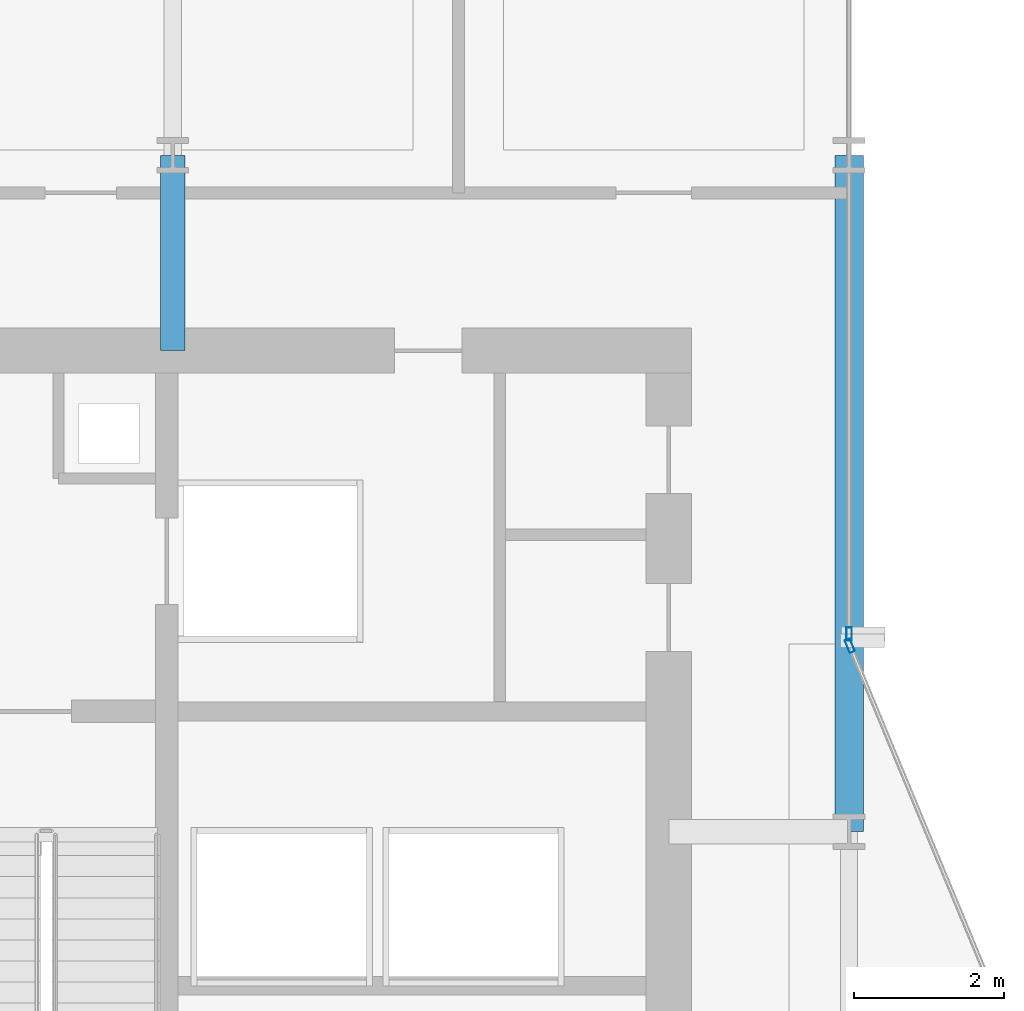
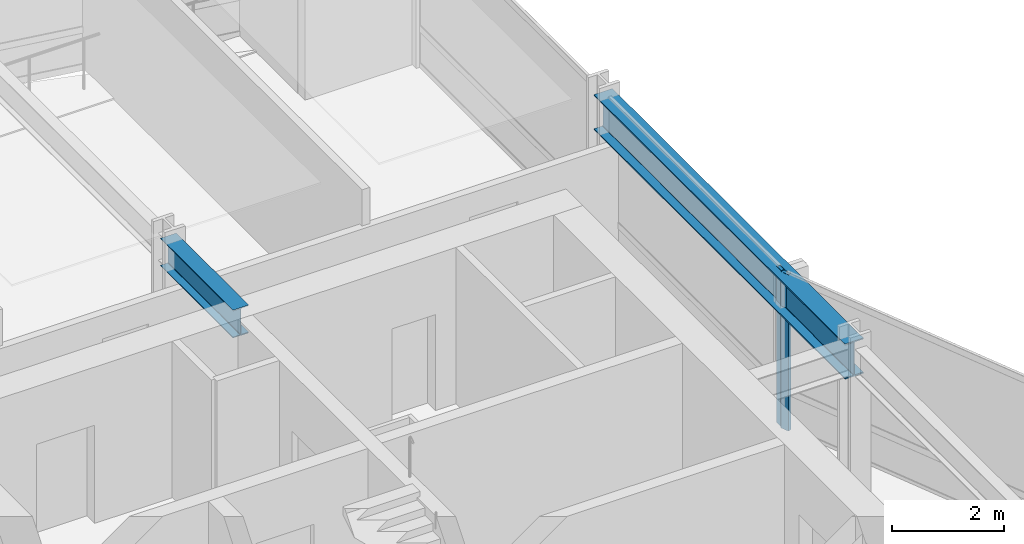
# One storey, part 21 of 34: 2 beams, 2 members, 2 elements without a shape of their own.
"""IFC4 building model written with IfcOpenShell, lengths in metres."""

from ifc_helpers import new_model, si_unit, direction, frame, origin, origin_2d, place, context, subcontext, project, spatial, hollow_rectangle, i_section, extrude, material, layer, layer_set, material_profile, profile_set, type_object, element, aggregate, save


model = new_model("IFC4")

# Units and contexts
model_context = context("Model", 3, precision=1e-05, world=origin(), true_north=direction((0.0, 1.0)))
body_context = subcontext(model_context, "Body", "Model", "MODEL_VIEW")
ifc_project = project(units=[si_unit("LENGTHUNIT", "METRE"), si_unit("AREAUNIT", "SQUARE_METRE"), si_unit("VOLUMEUNIT", "CUBIC_METRE"), si_unit("PLANEANGLEUNIT", "RADIAN"), si_unit("MASSUNIT", "GRAM", prefix="KILO")], contexts=[model_context])

# Site, building, storey
site_placement = place(None, origin())
site = spatial("IfcSite", under=ifc_project, at=site_placement, CompositionType="ELEMENT")
building_placement = place(site_placement, origin())
building = spatial("IfcBuilding", under=site, at=building_placement, Name="Solvaryn Broadcast Tower", CompositionType="ELEMENT")
storey_placement = place(building_placement, frame((0.0, 0.0, 76.699951171875)))
storey = spatial("IfcBuildingStorey", under=building, at=storey_placement, Name="L18", CompositionType="ELEMENT", Elevation=76.699951171875)

# Beams
ifc_material_1 = material(Name="Steel ASTM A992 Grade 50", Category="steel")
ifc_material_profile_1 = material_profile(ifc_material_1, i_section(OverallWidth=0.323974609375, OverallDepth=0.611083984375, WebThickness=0.0126953125, FlangeThickness=0.01904296875, FilletRadius=0.014892578125, at=origin_2d()))
ifc_profile_set_1 = profile_set([ifc_material_profile_1], Name="Steel ASTM A992 Grade 50")
beam_type_1 = type_object("IfcBeamType", Name="BM-B1-W24X104", PredefinedType="BEAM", material=ifc_profile_set_1)
beam_1_placement = place(storey_placement, frame((18.0, 42.39990234375, 3.114501953125), z_axis=(0.0, 1.0, 0.0), x_axis=(-1.0, 0.0, 0.0)))
element("IfcBeam", 1, at=beam_1_placement, inside=storey, type_object=beam_type_1, Name="L18 Core Tie Beam CTW3", PredefinedType="BEAM", context=body_context, shape_type="SweptSolid", body=[
    extrude(i_section(OverallWidth=0.323974609375, OverallDepth=0.611083984375, WebThickness=0.0126953125, FlangeThickness=0.01904296875, FilletRadius=0.014892578125, at=origin_2d()), origin(), (0.0, 0.0, 1.0), 2.60009765625),
])
ifc_material_2 = material(Name="Steel ASTM A992 Grade 50", Category="steel")
ifc_material_profile_2 = material_profile(ifc_material_2, i_section(OverallWidth=0.381103515625, OverallDepth=0.77294921875, WebThickness=0.0166015625, FlangeThickness=0.027099609375, FilletRadius=0.01806640625, at=origin_2d()))
ifc_profile_set_2 = profile_set([ifc_material_profile_2], Name="Steel ASTM A992 Grade 50")
beam_type_2 = type_object("IfcBeamType", Name="BM-SP1-W30X173", PredefinedType="USERDEFINED", material=ifc_profile_set_2)
beam_2_placement = place(storey_placement, frame((27.0, 36.0, 3.033447265625), z_axis=(0.0, 1.0, 0.0), x_axis=(-1.0, 0.0, 0.0)))
element("IfcBeam", 2, at=beam_2_placement, inside=storey, type_object=beam_type_2, Name="L18 Spandrel Beam Y (36-45 @ X=27)", ObjectType="SPANDREL", PredefinedType="USERDEFINED", context=body_context, shape_type="SweptSolid", body=[
    extrude(i_section(OverallWidth=0.381103515625, OverallDepth=0.77294921875, WebThickness=0.0166015625, FlangeThickness=0.027099609375, FilletRadius=0.01806640625, at=origin_2d()), origin(), (0.0, 0.0, 1.0), 9.0),
])

# Curtain wall, member
ifc_material_3 = material(Name="Aluminium and Terracotta Unitised Curtain Wall", Category="masonry")
ifc_layer = layer(ifc_material_3, 0.199951171875)
ifc_layer_set = layer_set([ifc_layer], Name="CW-SYS2-LOWMID")
curtain_wall_type = type_object("IfcCurtainWallType", Name="CW-SYS2-LOWMID", PredefinedType="NOTDEFINED", material=ifc_layer_set)
curtain_wall_1_placement = place(storey_placement, origin())
curtain_wall_1 = element("IfcCurtainWall", 3, at=curtain_wall_1_placement, inside=storey, type_object=curtain_wall_type, Name="L18 Curtain Wall IV", PredefinedType="NOTDEFINED")
ifc_material_4 = material(Name="Anodised Aluminium 6063-T6", Category="aluminium")
ifc_material_profile_3 = material_profile(ifc_material_4, hollow_rectangle(XDim=0.074951171875, YDim=0.179931640625, WallThickness=0.00390625, InnerFilletRadius=0.00390625, OuterFilletRadius=0.008056640625, at=origin_2d()))
ifc_profile_set_3 = profile_set([ifc_material_profile_3], Name="Anodised Aluminium 6063-T6")
member_type = type_object("IfcMemberType", Name="CW-MUL-180", PredefinedType="MULLION", material=ifc_profile_set_3)
member_1_placement = place(storey_placement, frame((27.0, 38.6298828125, 0.0), z_axis=(0.0, 0.0, 1.0), x_axis=(1.0, 0.0, 0.0)))
member_1 = element("IfcMember", 4, at=member_1_placement, type_object=member_type, Name="CWS2 mullion 2", PredefinedType="MULLION", context=body_context, shape_type="SweptSolid", body=[
    extrude(hollow_rectangle(XDim=0.074951171875, YDim=0.179931640625, WallThickness=0.00390625, InnerFilletRadius=0.00390625, OuterFilletRadius=0.008056640625, at=origin_2d()), origin(), (0.0, 0.0, 1.0), 3.420166015625),
])
aggregate(curtain_wall_1, [member_1])

curtain_wall_2_placement = place(storey_placement, origin())
curtain_wall_2 = element("IfcCurtainWall", 5, at=curtain_wall_2_placement, inside=storey, type_object=curtain_wall_type, Name="L18 Curtain Wall CN2", PredefinedType="NOTDEFINED")
member_2_placement = place(storey_placement, frame((27.011474609375, 38.47216796875, 0.0), z_axis=(0.0, 0.0, 1.0), x_axis=(-0.923894983957, -0.382646127145, 0.0)))
member_2 = element("IfcMember", 6, at=member_2_placement, type_object=member_type, Name="CWS2 mullion 2", PredefinedType="MULLION", context=body_context, shape_type="SweptSolid", body=[
    extrude(hollow_rectangle(XDim=0.074951171875, YDim=0.179931640625, WallThickness=0.00390625, InnerFilletRadius=0.00390625, OuterFilletRadius=0.008056640625, at=origin_2d()), origin(), (0.0, 0.0, 1.0), 3.420166015625),
])
aggregate(curtain_wall_2, [member_2])

save(model, "model.ifc")
